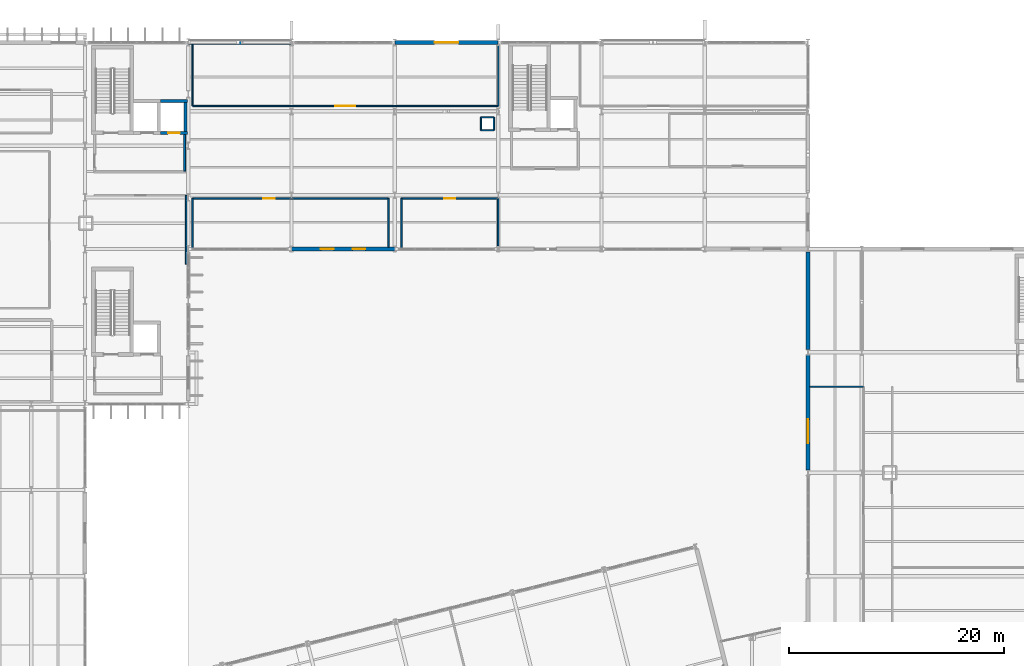
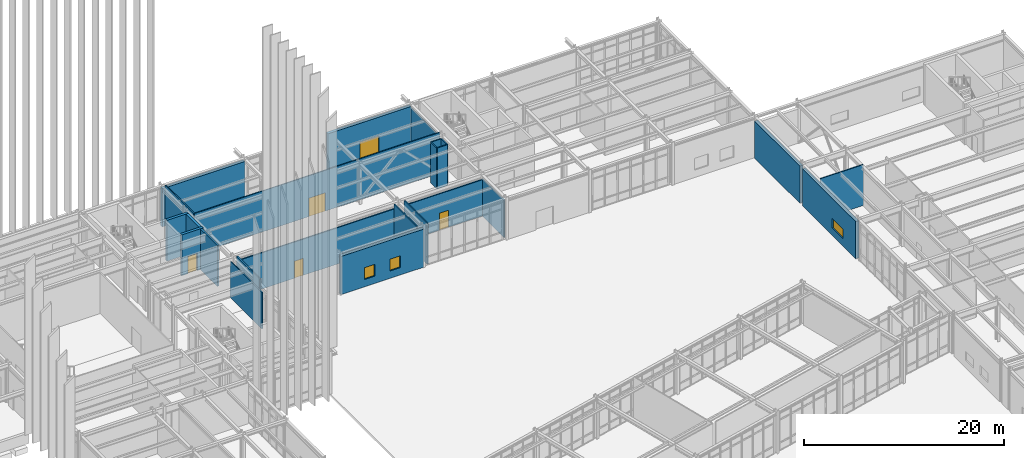
# One storey, part 92 of 109: 24 walls, 5 doors, 3 windows, 8 openings.
"""IFC4 building model written with IfcOpenShell, lengths in metres."""

from ifc_helpers import new_model, si_unit, direction, frame, frame_2d, origin, place, context, subcontext, project, spatial, rectangle, extrude, material, layer, layer_set, type_object, element, fill, save


model = new_model("IFC4")

# Units and contexts
model_context = context("Model", 3, precision=1e-05, world=origin(), true_north=direction((0.0, 1.0)))
body_context = subcontext(model_context, "Body", "Model", "MODEL_VIEW")
ifc_project = project(units=[si_unit("LENGTHUNIT", "METRE"), si_unit("AREAUNIT", "SQUARE_METRE"), si_unit("VOLUMEUNIT", "CUBIC_METRE"), si_unit("PLANEANGLEUNIT", "RADIAN"), si_unit("MASSUNIT", "GRAM", prefix="KILO")], contexts=[model_context])

# Site, building, storey
site_placement = place(None, origin())
site = spatial("IfcSite", under=ifc_project, at=site_placement, CompositionType="ELEMENT")
building_placement = place(site_placement, origin())
building = spatial("IfcBuilding", under=site, at=building_placement, Name="Nordkorset Police Headquarters", CompositionType="ELEMENT")
storey_placement = place(building_placement, origin())
storey = spatial("IfcBuildingStorey", under=building, at=storey_placement, Name="L00", CompositionType="ELEMENT", Elevation=0.0)

# Wall
ifc_material_1 = material(Name="Gypsum board", Category="gypsum")
ifc_layer_1 = layer(ifc_material_1, 0.139892578125, Name="Gypsum board")
ifc_layer_set_1 = layer_set([ifc_layer_1], Name="Gypsum board")
wall_type_1 = type_object("IfcWallType", Name="Wall_Acoust_140", PredefinedType="PARTITIONING", material=ifc_layer_set_1)
wall_1_placement = place(storey_placement, frame((47.39990234375, 97.77490234375, 0.0), z_axis=(0.0, 0.0, 1.0), x_axis=(0.0, 1.0, 0.0)))
element("IfcWall", 1, at=wall_1_placement, inside=storey, type_object=wall_type_1, Name="Interior Partition Wall Public Consultation Suite West", PredefinedType="PARTITIONING", context=body_context, shape_type="SweptSolid", body=[
    extrude(rectangle(XDim=4.525146484375, YDim=0.139892578125, at=frame_2d((2.2626953125, 0.0))), origin(), (0.0, 0.0, 1.0), 5.0),
])

# Wall, opening, door
wall_2_placement = place(storey_placement, frame((47.39990234375, 102.300048828125, 0.0), z_axis=(0.0, 0.0, 1.0), x_axis=(-1.0, 0.0, 0.0)))
wall_2 = element("IfcWall", 2, at=wall_2_placement, inside=storey, type_object=wall_type_1, Name="Interior Partition Wall Public Consultation Suite West", PredefinedType="PARTITIONING", context=body_context, shape_type="SweptSolid", body=[
    extrude(rectangle(XDim=18.199951171875, YDim=0.139892578125, at=frame_2d((9.10009765625, 0.0))), origin(), (0.0, 0.0, 1.0), 4.43994140625),
])
opening_1_placement = place(wall_2_placement, frame((10.580078125, 0.0, 0.0)))
opening_1 = element("IfcOpeningElement", 3, at=opening_1_placement, cuts=wall_2, Name="Opening DR-09", PredefinedType="OPENING", context=body_context, shape_type="SweptSolid", body=[
    extrude(rectangle(XDim=1.0400390625, YDim=2.080078125, at=frame_2d((0.52001953125, 1.0400390625))), frame((0.0, 0.080078125, 0.0), z_axis=(0.0, -1.0, 0.0), x_axis=(1.0, 0.0, 0.0)), (0.0, 0.0, 1.0), 0.159912109375),
])
ifc_material_2 = material(Name="Glulam GL30c", Category="wood")
door_type_1 = type_object("IfcDoorType", Name="Door_Interview_1040x2080", OperationType="NOTDEFINED", PredefinedType="DOOR", material=ifc_material_2)
door_1_placement = place(opening_1_placement, origin())
door_1 = element("IfcDoor", 4, at=door_1_placement, inside=storey, type_object=door_type_1, Name="Interior Door Public Consultation Suite West", OperationType="SINGLE_SWING_LEFT", OverallHeight=2.080078125, OverallWidth=1.0400390625, PredefinedType="DOOR", context=body_context, shape_type="SweptSolid", body=[
    extrude(rectangle(XDim=1.0400390625, YDim=2.080078125, at=frame_2d((0.52001953125, 1.0400390625))), frame((0.0, 0.02490234375, 0.0), z_axis=(0.0, -1.0, 0.0), x_axis=(1.0, 0.0, 0.0)), (0.0, 0.0, 1.0), 0.050048828125),
])
fill(opening_1, door_1)

# Walls
wall_3_placement = place(storey_placement, frame((29.199951171875, 102.300048828125, 0.0), z_axis=(0.0, 0.0, 1.0), x_axis=(0.0, -1.0, 0.0)))
element("IfcWall", 5, at=wall_3_placement, inside=storey, type_object=wall_type_1, Name="Interior Partition Wall Public Consultation Suite West", PredefinedType="PARTITIONING", context=body_context, shape_type="SweptSolid", body=[
    extrude(rectangle(XDim=4.614990234375, YDim=0.139892578125, at=frame_2d((2.3076171875, 0.0))), origin(), (0.0, 0.0, 1.0), 5.0),
])
wall_4_placement = place(storey_placement, frame((57.60009765625, 97.89990234375, 0.0), z_axis=(0.0, 0.0, 1.0), x_axis=(0.0, 1.0, 0.0)))
element("IfcWall", 6, at=wall_4_placement, inside=storey, type_object=wall_type_1, Name="Interior Partition Wall Public Consultation Suite East", PredefinedType="PARTITIONING", context=body_context, shape_type="SweptSolid", body=[
    extrude(rectangle(XDim=4.400146484375, YDim=0.139892578125, at=frame_2d((2.2001953125, 0.0))), origin(), (0.0, 0.0, 1.0), 4.5400390625),
])

# Wall, opening, door
wall_5_placement = place(storey_placement, frame((57.60009765625, 102.300048828125, 0.0), z_axis=(0.0, 0.0, 1.0), x_axis=(-1.0, 0.0, 0.0)))
wall_5 = element("IfcWall", 7, at=wall_5_placement, inside=storey, type_object=wall_type_1, Name="Interior Partition Wall Public Consultation Suite East", PredefinedType="PARTITIONING", context=body_context, shape_type="SweptSolid", body=[
    extrude(rectangle(XDim=9.0, YDim=0.139892578125, at=frame_2d((4.5, 0.0))), origin(), (0.0, 0.0, 1.0), 4.43994140625),
])
opening_2_placement = place(wall_5_placement, frame((3.97998046875, 0.0, 0.0)))
opening_2 = element("IfcOpeningElement", 8, at=opening_2_placement, cuts=wall_5, Name="Opening DR-09", PredefinedType="OPENING", context=body_context, shape_type="SweptSolid", body=[
    extrude(rectangle(XDim=1.0400390625, YDim=2.080078125, at=frame_2d((0.52001953125, 1.0400390625))), frame((0.0, 0.080078125, 0.0), z_axis=(0.0, -1.0, 0.0), x_axis=(1.0, 0.0, 0.0)), (0.0, 0.0, 1.0), 0.159912109375),
])
door_2_placement = place(opening_2_placement, frame((1.0400390625, 0.0, 0.0), z_axis=(0.0, 0.0, 1.0), x_axis=(-1.0, 0.0, 0.0)))
door_2 = element("IfcDoor", 9, at=door_2_placement, inside=storey, type_object=door_type_1, Name="Interior Door Public Consultation Suite East", OperationType="SINGLE_SWING_RIGHT", OverallHeight=2.080078125, OverallWidth=1.0400390625, PredefinedType="DOOR", context=body_context, shape_type="SweptSolid", body=[
    extrude(rectangle(XDim=1.0400390625, YDim=2.080078125, at=frame_2d((0.52001953125, 1.0400390625))), frame((0.0, 0.02490234375, 0.0), z_axis=(0.0, -1.0, 0.0), x_axis=(1.0, 0.0, 0.0)), (0.0, 0.0, 1.0), 0.050048828125),
])
fill(opening_2, door_2)

# Walls
wall_6_placement = place(storey_placement, frame((48.60009765625, 102.300048828125, 0.0), z_axis=(0.0, 0.0, 1.0), x_axis=(0.0, -1.0, 0.0)))
element("IfcWall", 10, at=wall_6_placement, inside=storey, type_object=wall_type_1, Name="Interior Partition Wall Public Consultation Suite East", PredefinedType="PARTITIONING", context=body_context, shape_type="SweptSolid", body=[
    extrude(rectangle(XDim=4.614990234375, YDim=0.139892578125, at=frame_2d((2.3076171875, 0.0))), origin(), (0.0, 0.0, 1.0), 5.0),
])
ifc_material_3 = material(Name="Gypsum board", Category="gypsum")
ifc_layer_2 = layer(ifc_material_3, 0.179931640625, Name="Gypsum board")
ifc_layer_set_2 = layer_set([ifc_layer_2], Name="Gypsum board")
wall_type_2 = type_object("IfcWallType", Name="Wall_Comp_180", PredefinedType="PARTITIONING", material=ifc_layer_set_2)
wall_7_placement = place(storey_placement, frame((28.4599609375, 104.85009765625, 0.0), z_axis=(0.0, 0.0, 1.0), x_axis=(0.0, 1.0, 0.0)))
element("IfcWall", 11, at=wall_7_placement, inside=storey, type_object=wall_type_2, Name="Firefighting Lobby EI 60 Wall K1 L00 E", PredefinedType="PARTITIONING", context=body_context, shape_type="SweptSolid", body=[
    extrude(rectangle(XDim=3.375, YDim=0.179931640625, at=frame_2d((1.6875, 0.0))), origin(), (0.0, 0.0, 1.0), 5.0),
])
ifc_material_4 = material(Name="Precast concrete C40/50", Category="concrete")
ifc_layer_3 = layer(ifc_material_4, 0.360107421875, Name="Precast concrete C40/50")
ifc_layer_set_3 = layer_set([ifc_layer_3], Name="Precast concrete C40/50")
wall_type_3 = type_object("IfcWallType", Name="Wall_ExtPrecast_360", PredefinedType="SOLIDWALL", material=ifc_layer_set_3)
wall_8_placement = place(storey_placement, frame((28.81005859375, 116.800048828125, 0.0), z_axis=(0.0, 0.0, 1.0), x_axis=(1.0, 0.0, 0.0)))
element("IfcWall", 12, at=wall_8_placement, inside=storey, type_object=wall_type_3, Name="Exterior Insulated Precast Wall L00 V2N-0", PredefinedType="SOLIDWALL", context=body_context, shape_type="SweptSolid", body=[
    extrude(rectangle(XDim=9.580078125, YDim=0.360107421875, at=frame_2d((4.7900390625, 0.0))), origin(), (0.0, 0.0, 1.0), 4.669921875),
])

# Wall, openings, windows
wall_9_placement = place(storey_placement, frame((38.4091796875, 97.60009765625, 0.0), z_axis=(0.0, 0.0, 1.0), x_axis=(1.0, 0.0, 0.0)))
wall_9 = element("IfcWall", 13, at=wall_9_placement, inside=storey, type_object=wall_type_3, Name="Exterior Insulated Precast Wall L00 V2S-1", PredefinedType="SOLIDWALL", context=body_context, shape_type="SweptSolid", body=[
    extrude(rectangle(XDim=9.58154296875, YDim=0.360107421875, at=frame_2d((4.790771484375, 0.0))), origin(), (0.0, 0.0, 1.0), 4.669921875),
])
opening_3_placement = place(wall_9_placement, frame((2.72412109375, 0.0, 0.89990234375)))
opening_3 = element("IfcOpeningElement", 14, at=opening_3_placement, cuts=wall_9, Name="Opening WN-09", PredefinedType="OPENING", context=body_context, shape_type="SweptSolid", body=[
    extrude(rectangle(XDim=1.199951171875, YDim=1.449951171875, at=frame_2d((0.60009765625, 0.72509765625))), frame((0.0, 0.18994140625, 0.0), z_axis=(0.0, -1.0, 0.0), x_axis=(1.0, 0.0, 0.0)), (0.0, 0.0, 1.0), 0.380126953125),
])
opening_4_placement = place(wall_9_placement, frame((5.657470703125, 0.0, 0.89990234375)))
opening_4 = element("IfcOpeningElement", 15, at=opening_4_placement, cuts=wall_9, Name="Opening WN-09", PredefinedType="OPENING", context=body_context, shape_type="SweptSolid", body=[
    extrude(rectangle(XDim=1.199951171875, YDim=1.449951171875, at=frame_2d((0.60009765625, 0.72509765625))), frame((0.0, 0.18994140625, 0.0), z_axis=(0.0, -1.0, 0.0), x_axis=(1.0, 0.0, 0.0)), (0.0, 0.0, 1.0), 0.380126953125),
])
ifc_material_5 = material(Name="Low-iron triple glazing", Category="glass")
window_type_1 = type_object("IfcWindowType", Name="Win_1200x1450", PartitioningType="SINGLE_PANEL", PredefinedType="WINDOW", material=ifc_material_5)
window_1_placement = place(opening_3_placement, origin())
window_1 = element("IfcWindow", 16, at=window_1_placement, inside=storey, type_object=window_type_1, Name="Triple-Glazed Exterior Window L00 V2S-1-1", OverallHeight=1.449951171875, OverallWidth=1.199951171875, PartitioningType="SINGLE_PANEL", PredefinedType="WINDOW", context=body_context, shape_type="SweptSolid", body=[
    extrude(rectangle(XDim=1.199951171875, YDim=1.449951171875, at=frame_2d((0.60009765625, 0.72509765625))), frame((0.0, 0.030029296875, 0.0), z_axis=(0.0, -1.0, 0.0), x_axis=(1.0, 0.0, 0.0)), (0.0, 0.0, 1.0), 0.06005859375),
])
fill(opening_3, window_1)
window_2_placement = place(opening_4_placement, origin())
window_2 = element("IfcWindow", 17, at=window_2_placement, inside=storey, type_object=window_type_1, Name="Triple-Glazed Exterior Window L00 V2S-1-2", OverallHeight=1.449951171875, OverallWidth=1.199951171875, PartitioningType="SINGLE_PANEL", PredefinedType="WINDOW", context=body_context, shape_type="SweptSolid", body=[
    extrude(rectangle(XDim=1.199951171875, YDim=1.449951171875, at=frame_2d((0.60009765625, 0.72509765625))), frame((0.0, 0.030029296875, 0.0), z_axis=(0.0, -1.0, 0.0), x_axis=(1.0, 0.0, 0.0)), (0.0, 0.0, 1.0), 0.06005859375),
])
fill(opening_4, window_2)

# Wall, opening, door
wall_10_placement = place(storey_placement, frame((48.009765625, 116.800048828125, 0.0), z_axis=(0.0, 0.0, 1.0), x_axis=(1.0, 0.0, 0.0)))
wall_10 = element("IfcWall", 18, at=wall_10_placement, inside=storey, type_object=wall_type_3, Name="Exterior Insulated Precast Wall L00 V2N-2", PredefinedType="SOLIDWALL", context=body_context, shape_type="SweptSolid", body=[
    extrude(rectangle(XDim=9.58056640625, YDim=0.360107421875, at=frame_2d((4.790283203125, 0.0))), origin(), (0.0, 0.0, 1.0), 4.669921875),
])
opening_5_placement = place(wall_10_placement, frame((3.690185546875, 0.0, 0.0)))
opening_5 = element("IfcOpeningElement", 19, at=opening_5_placement, cuts=wall_10, Name="Opening ED-05", PredefinedType="OPENING", context=body_context, shape_type="SweptSolid", body=[
    extrude(rectangle(XDim=2.199951171875, YDim=2.35009765625, at=frame_2d((1.10009765625, 1.175048828125))), frame((0.0, 0.18994140625, 0.0), z_axis=(0.0, -1.0, 0.0), x_axis=(1.0, 0.0, 0.0)), (0.0, 0.0, 1.0), 0.380126953125),
])
ifc_material_6 = material(Name="Aluminium alloy AW-6060", Category="aluminium")
door_type_2 = type_object("IfcDoorType", Name="ExtDoor_CivicExit_2200x2350", OperationType="DOUBLE_DOOR_SINGLE_SWING", PredefinedType="DOOR", material=ifc_material_6)
door_3_placement = place(opening_5_placement, origin())
door_3 = element("IfcDoor", 20, at=door_3_placement, inside=storey, type_object=door_type_2, Name="Investigation Wing Boulevard Exit Door ED-05", OperationType="SINGLE_SWING_LEFT", OverallHeight=2.35009765625, OverallWidth=2.199951171875, PredefinedType="DOOR", context=body_context, shape_type="SweptSolid", body=[
    extrude(rectangle(XDim=2.199951171875, YDim=2.35009765625, at=frame_2d((1.10009765625, 1.175048828125))), frame((0.0, 0.02490234375, 0.0), z_axis=(0.0, -1.0, 0.0), x_axis=(1.0, 0.0, 0.0)), (0.0, 0.0, 1.0), 0.050048828125),
])
fill(opening_5, door_3)

# Wall, opening, window
wall_11_placement = place(storey_placement, frame((86.39990234375, 77.052001953125, 0.0), z_axis=(0.0, 0.0, 1.0), x_axis=(0.0, 1.0, 0.0)))
wall_11 = element("IfcWall", 21, at=wall_11_placement, inside=storey, type_object=wall_type_3, Name="Exterior Insulated Precast Wall L00 V5W-3", PredefinedType="SOLIDWALL", context=body_context, shape_type="SweptSolid", body=[
    extrude(rectangle(XDim=10.696044921875, YDim=0.360107421875, at=frame_2d((5.34814453125, 0.0))), origin(), (0.0, 0.0, 1.0), 4.5400390625),
])
opening_6_placement = place(wall_11_placement, frame((2.5146484375, 0.0, 0.89990234375)))
opening_6 = element("IfcOpeningElement", 22, at=opening_6_placement, cuts=wall_11, Name="Opening WN-07", PredefinedType="OPENING", context=body_context, shape_type="SweptSolid", body=[
    extrude(rectangle(XDim=2.199951171875, YDim=1.14990234375, at=frame_2d((1.10009765625, 0.574951171875))), frame((0.0, 0.18994140625, 0.0), z_axis=(0.0, -1.0, 0.0), x_axis=(1.0, 0.0, 0.0)), (0.0, 0.0, 1.0), 0.380126953125),
])
ifc_material_7 = material(Name="Low-iron triple glazing", Category="glass")
window_type_2 = type_object("IfcWindowType", Name="Win_2200x1150", PartitioningType="SINGLE_PANEL", PredefinedType="WINDOW", material=ifc_material_7)
window_3_placement = place(opening_6_placement, origin())
window_3 = element("IfcWindow", 23, at=window_3_placement, inside=storey, type_object=window_type_2, Name="Triple-Glazed Exterior Window L00 V5W-3-1", OverallHeight=1.14990234375, OverallWidth=2.199951171875, PartitioningType="SINGLE_PANEL", PredefinedType="WINDOW", context=body_context, shape_type="SweptSolid", body=[
    extrude(rectangle(XDim=2.199951171875, YDim=1.14990234375, at=frame_2d((1.10009765625, 0.574951171875))), frame((0.0, 0.030029296875, 0.0), z_axis=(0.0, -1.0, 0.0), x_axis=(1.0, 0.0, 0.0)), (0.0, 0.0, 1.0), 0.06005859375),
])
fill(opening_6, window_3)

# Walls
wall_12_placement = place(storey_placement, frame((86.39990234375, 88.251953125, 0.0), z_axis=(0.0, 0.0, 1.0), x_axis=(0.0, 1.0, 0.0)))
element("IfcWall", 24, at=wall_12_placement, inside=storey, type_object=wall_type_3, Name="Exterior Insulated Precast Wall L00 V5W-4", PredefinedType="SOLIDWALL", context=body_context, shape_type="SweptSolid", body=[
    extrude(rectangle(XDim=9.095947265625, YDim=0.360107421875, at=frame_2d((4.5478515625, 0.0))), origin(), (0.0, 0.0, 1.0), 4.5400390625),
])
ifc_material_8 = material(Name="Gypsum board", Category="gypsum")
ifc_layer_4 = layer(ifc_material_8, 0.1201171875, Name="Gypsum board")
ifc_layer_set_4 = layer_set([ifc_layer_4], Name="Gypsum board")
wall_type_4 = type_object("IfcWallType", Name="Wall_Part_120", PredefinedType="PARTITIONING", material=ifc_layer_set_4)
wall_13_placement = place(storey_placement, frame((28.60009765625, 96.199951171875, 0.0), z_axis=(0.0, 0.0, 1.0), x_axis=(0.0, 1.0, 0.0)))
element("IfcWall", 25, at=wall_13_placement, inside=storey, type_object=wall_type_4, Name="Interior Partition Wall Station Duty Officer Desk", PredefinedType="PARTITIONING", context=body_context, shape_type="SweptSolid", body=[
    extrude(rectangle(XDim=6.400146484375, YDim=0.1201171875, at=frame_2d((3.2001953125, 0.0))), origin(), (0.0, 0.0, 1.0), 4.43994140625),
])

# Wall, opening, door
wall_14_placement = place(storey_placement, frame((29.199951171875, 110.89990234375, 0.0), z_axis=(0.0, 0.0, 1.0), x_axis=(1.0, 0.0, 0.0)))
wall_14 = element("IfcWall", 26, at=wall_14_placement, inside=storey, type_object=wall_type_4, Name="Interior Partition Wall Civil Licensing and Passport Hall", PredefinedType="PARTITIONING", context=body_context, shape_type="SweptSolid", body=[
    extrude(rectangle(XDim=28.400146484375, YDim=0.1201171875, at=frame_2d((14.2001953125, 0.0))), origin(), (0.0, 0.0, 1.0), 5.0),
])
opening_7_placement = place(wall_14_placement, frame((13.260009765625, 0.0, 0.0)))
opening_7 = element("IfcOpeningElement", 27, at=opening_7_placement, cuts=wall_14, Name="Opening DR-05", PredefinedType="OPENING", context=body_context, shape_type="SweptSolid", body=[
    extrude(rectangle(XDim=1.8798828125, YDim=2.25, at=frame_2d((0.93994140625, 1.125))), frame((0.0, 0.070068359375, 0.0), z_axis=(0.0, -1.0, 0.0), x_axis=(1.0, 0.0, 0.0)), (0.0, 0.0, 1.0), 0.14013671875),
])
ifc_material_9 = material(Name="Aluminium alloy AW-6060", Category="aluminium")
door_type_3 = type_object("IfcDoorType", Name="Door_HallDouble_1880x2250", OperationType="DOUBLE_DOOR_SINGLE_SWING", PredefinedType="DOOR", material=ifc_material_9)
door_4_placement = place(opening_7_placement, origin())
door_4 = element("IfcDoor", 28, at=door_4_placement, inside=storey, type_object=door_type_3, Name="Interior Door Civil Licensing and Passport Hall", OperationType="DOUBLE_DOOR_SINGLE_SWING", OverallHeight=2.25, OverallWidth=1.8798828125, PredefinedType="DOOR", context=body_context, shape_type="SweptSolid", body=[
    extrude(rectangle(XDim=1.8798828125, YDim=2.25, at=frame_2d((0.93994140625, 1.125))), frame((0.0, 0.02490234375, 0.0), z_axis=(0.0, -1.0, 0.0), x_axis=(1.0, 0.0, 0.0)), (0.0, 0.0, 1.0), 0.050048828125),
])
fill(opening_7, door_4)

# Walls
wall_15_placement = place(storey_placement, frame((57.60009765625, 110.89990234375, 0.0), z_axis=(0.0, 0.0, 1.0), x_axis=(0.0, 1.0, 0.0)))
element("IfcWall", 29, at=wall_15_placement, inside=storey, type_object=wall_type_4, Name="Interior Partition Wall Civil Licensing and Passport Hall", PredefinedType="PARTITIONING", context=body_context, shape_type="SweptSolid", body=[
    extrude(rectangle(XDim=5.650146484375, YDim=0.1201171875, at=frame_2d((2.8251953125, 0.0))), origin(), (0.0, 0.0, 1.0), 4.5400390625),
])
wall_16_placement = place(storey_placement, frame((29.199951171875, 116.625, 0.0), z_axis=(0.0, 0.0, 1.0), x_axis=(0.0, -1.0, 0.0)))
element("IfcWall", 30, at=wall_16_placement, inside=storey, type_object=wall_type_4, Name="Interior Partition Wall Civil Licensing and Passport Hall", PredefinedType="PARTITIONING", context=body_context, shape_type="SweptSolid", body=[
    extrude(rectangle(XDim=5.72509765625, YDim=0.1201171875, at=frame_2d((2.862548828125, 0.0))), origin(), (0.0, 0.0, 1.0), 5.0),
])
wall_17_placement = place(storey_placement, frame((91.550048828125, 84.800048828125, 0.0), z_axis=(0.0, 0.0, 1.0), x_axis=(-1.0, 0.0, 0.0)))
element("IfcWall", 31, at=wall_17_placement, inside=storey, type_object=wall_type_4, Name="Interior Partition Wall Patrol Kit Issue Office", PredefinedType="PARTITIONING", context=body_context, shape_type="SweptSolid", body=[
    extrude(rectangle(XDim=4.97509765625, YDim=0.1201171875, at=frame_2d((2.487548828125, 0.0))), origin(), (0.0, 0.0, 1.0), 5.0),
])
ifc_material_10 = material(Name="Gypsum board", Category="gypsum")
ifc_layer_5 = layer(ifc_material_10, 0.125, Name="Gypsum board")
ifc_layer_set_5 = layer_set([ifc_layer_5], Name="Gypsum board")
wall_type_5 = type_object("IfcWallType", Name="Wall_Riser_125", PredefinedType="PARTITIONING", material=ifc_layer_set_5)
wall_18_placement = place(storey_placement, frame((56.0, 108.64990234375, 0.0), z_axis=(0.0, 0.0, 1.0), x_axis=(1.0, 0.0, 0.0)))
element("IfcWall", 32, at=wall_18_placement, inside=storey, type_object=wall_type_5, Name="Service Riser Enclosure RSR-V2 L00", PredefinedType="PARTITIONING", context=body_context, shape_type="SweptSolid", body=[
    extrude(rectangle(XDim=1.199951171875, YDim=0.125, at=frame_2d((0.60009765625, 0.0))), origin(), (0.0, 0.0, 1.0), 5.0),
])
wall_19_placement = place(storey_placement, frame((57.199951171875, 108.64990234375, 0.0), z_axis=(0.0, 0.0, 1.0), x_axis=(0.0, 1.0, 0.0)))
element("IfcWall", 33, at=wall_19_placement, inside=storey, type_object=wall_type_5, Name="Service Riser Enclosure RSR-V2 L00", PredefinedType="PARTITIONING", context=body_context, shape_type="SweptSolid", body=[
    extrude(rectangle(XDim=1.2001953125, YDim=0.125, at=frame_2d((0.60009765625, 0.0))), origin(), (0.0, 0.0, 1.0), 5.0),
])
wall_20_placement = place(storey_placement, frame((57.199951171875, 109.85009765625, 0.0), z_axis=(0.0, 0.0, 1.0), x_axis=(-1.0, 0.0, 0.0)))
element("IfcWall", 34, at=wall_20_placement, inside=storey, type_object=wall_type_5, Name="Service Riser Enclosure RSR-V2 L00", PredefinedType="PARTITIONING", context=body_context, shape_type="SweptSolid", body=[
    extrude(rectangle(XDim=1.199951171875, YDim=0.125, at=frame_2d((0.60009765625, 0.0))), origin(), (0.0, 0.0, 1.0), 5.0),
])
wall_21_placement = place(storey_placement, frame((56.0, 109.85009765625, 0.0), z_axis=(0.0, 0.0, 1.0), x_axis=(0.0, -1.0, 0.0)))
element("IfcWall", 35, at=wall_21_placement, inside=storey, type_object=wall_type_5, Name="Service Riser Enclosure RSR-V2 L00", PredefinedType="PARTITIONING", context=body_context, shape_type="SweptSolid", body=[
    extrude(rectangle(XDim=1.2001953125, YDim=0.125, at=frame_2d((0.60009765625, 0.0))), origin(), (0.0, 0.0, 1.0), 5.0),
])

# Wall, opening, door
ifc_material_11 = material(Name="Concrete C35/45", Category="concrete")
ifc_layer_6 = layer(ifc_material_11, 0.300048828125, Name="Concrete C35/45")
ifc_layer_set_6 = layer_set([ifc_layer_6], Name="Concrete C35/45")
wall_type_6 = type_object("IfcWallType", Name="Wall_ShaftShear_300", PredefinedType="SHEAR", material=ifc_layer_set_6)
wall_22_placement = place(storey_placement, frame((26.22509765625, 108.39990234375, 0.0), z_axis=(0.0, 0.0, 1.0), x_axis=(1.0, 0.0, 0.0)))
wall_22 = element("IfcWall", 36, at=wall_22_placement, inside=storey, type_object=wall_type_6, Name="Lift Shaft LF-02 Front Shear Wall L00", PredefinedType="SHEAR", context=body_context, shape_type="SweptSolid", body=[
    extrude(rectangle(XDim=2.5, YDim=0.300048828125, at=frame_2d((1.25, 0.0))), origin(), (0.0, 0.0, 1.0), 5.0),
])
opening_8_placement = place(wall_22_placement, frame((0.699951171875, 0.0, 0.0)))
opening_8 = element("IfcOpeningElement", 37, at=opening_8_placement, cuts=wall_22, Name="Opening LD-02", PredefinedType="OPENING", context=body_context, shape_type="SweptSolid", body=[
    extrude(rectangle(XDim=1.10009765625, YDim=2.10009765625, at=frame_2d((0.550048828125, 1.050048828125))), frame((0.0, 0.16015625, 0.0), z_axis=(0.0, -1.0, 0.0), x_axis=(1.0, 0.0, 0.0)), (0.0, 0.0, 1.0), 0.320068359375),
])
ifc_material_12 = material(Name="Steel S355J2", Category="steel")
door_type_4 = type_object("IfcDoorType", Name="Door_LiftLanding_1100x2100", OperationType="SLIDING_TO_LEFT", PredefinedType="DOOR", material=ifc_material_12)
door_5_placement = place(opening_8_placement, frame((1.10009765625, 0.0, 0.0), z_axis=(0.0, 0.0, 1.0), x_axis=(-1.0, 0.0, 0.0)))
door_5 = element("IfcDoor", 38, at=door_5_placement, inside=storey, type_object=door_type_4, Name="Lift Landing Sliding Door LF-02 L00", OperationType="SLIDING_TO_LEFT", OverallHeight=2.10009765625, OverallWidth=1.10009765625, PredefinedType="DOOR", context=body_context, shape_type="SweptSolid", body=[
    extrude(rectangle(XDim=1.10009765625, YDim=2.10009765625, at=frame_2d((0.550048828125, 1.050048828125))), frame((0.0, 0.02490234375, 0.0), z_axis=(0.0, -1.0, 0.0), x_axis=(1.0, 0.0, 0.0)), (0.0, 0.0, 1.0), 0.050048828125),
])
fill(opening_8, door_5)

# Walls
wall_23_placement = place(storey_placement, frame((26.22509765625, 111.35009765625, 0.0), z_axis=(0.0, 0.0, 1.0), x_axis=(1.0, 0.0, 0.0)))
element("IfcWall", 39, at=wall_23_placement, inside=storey, type_object=wall_type_6, Name="Lift Shaft LF-02 Rear Shear Wall L00", PredefinedType="SHEAR", context=body_context, shape_type="SweptSolid", body=[
    extrude(rectangle(XDim=2.5, YDim=0.300048828125, at=frame_2d((1.25, 0.0))), origin(), (0.0, 0.0, 1.0), 5.0),
])
wall_24_placement = place(storey_placement, frame((28.550048828125, 108.550048828125, 0.0), z_axis=(0.0, 0.0, 1.0), x_axis=(0.0, 1.0, 0.0)))
element("IfcWall", 40, at=wall_24_placement, inside=storey, type_object=wall_type_6, Name="Lift Shaft LF-02 East Shear Wall L00", PredefinedType="SHEAR", context=body_context, shape_type="SweptSolid", body=[
    extrude(rectangle(XDim=2.64990234375, YDim=0.300048828125, at=frame_2d((1.324951171875, 0.0))), origin(), (0.0, 0.0, 1.0), 5.0),
])

save(model, "model.ifc")
